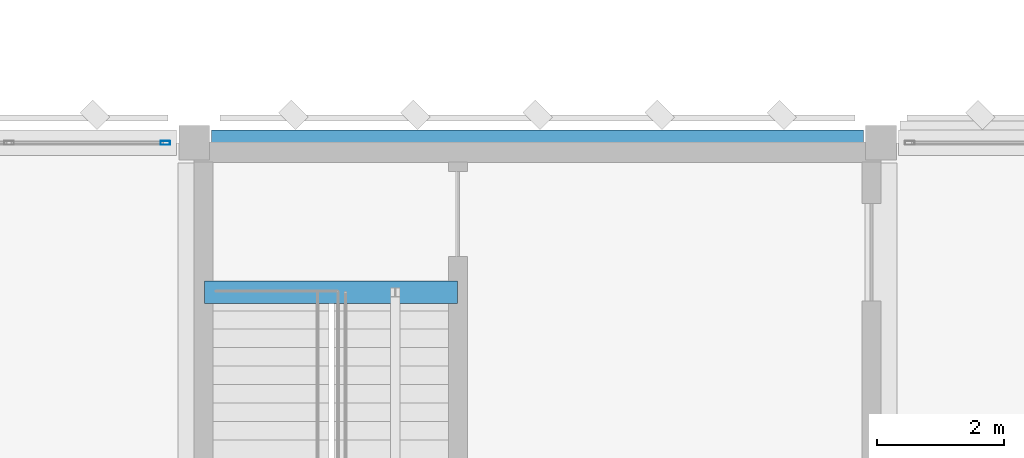
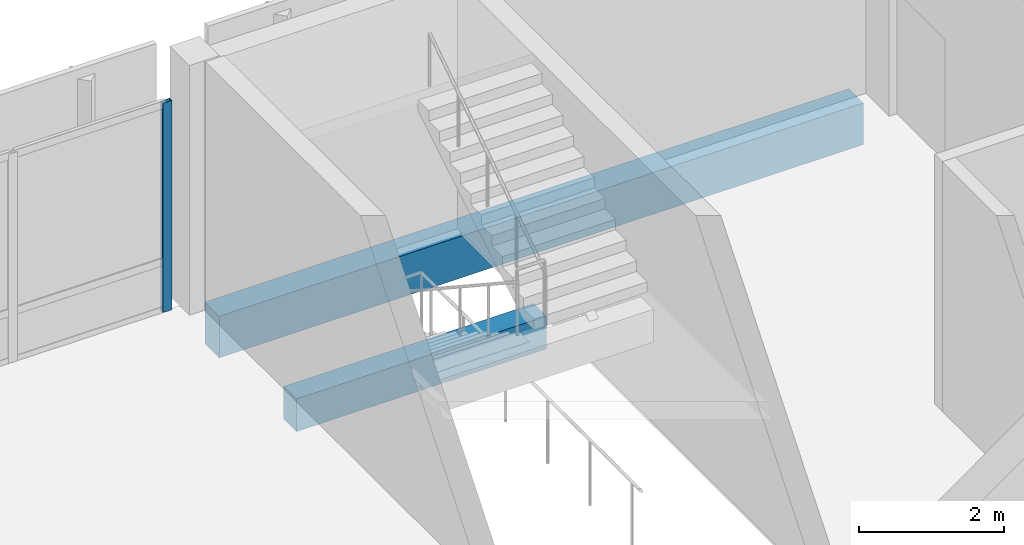
# One storey, part 30 of 72: 2 beams, 1 member, 1 element without a shape of its own.
"""IFC4 building model written with IfcOpenShell, lengths in metres."""

from ifc_helpers import new_model, si_unit, direction, frame, origin, origin_2d, place, context, subcontext, project, spatial, rectangle, hollow_rectangle, extrude, material, material_profile, profile_set, type_object, element, aggregate, save


model = new_model("IFC4")

# Units and contexts
model_context = context("Model", 3, precision=1e-05, world=origin(), true_north=direction((0.0, 1.0)))
body_context = subcontext(model_context, "Body", "Model", "MODEL_VIEW")
ifc_project = project(units=[si_unit("LENGTHUNIT", "METRE"), si_unit("AREAUNIT", "SQUARE_METRE"), si_unit("VOLUMEUNIT", "CUBIC_METRE"), si_unit("PLANEANGLEUNIT", "RADIAN"), si_unit("MASSUNIT", "GRAM", prefix="KILO")], contexts=[model_context])

# Site, building, storey
site_placement = place(None, origin())
site = spatial("IfcSite", under=ifc_project, at=site_placement, CompositionType="ELEMENT")
building_placement = place(site_placement, origin())
building = spatial("IfcBuilding", under=site, at=building_placement, Name="Lusvemor Sports Hall", CompositionType="ELEMENT")
storey_placement = place(building_placement, frame((0.0, 0.0, 15.0)))
storey = spatial("IfcBuildingStorey", under=building, at=storey_placement, Name="L03", CompositionType="ELEMENT", Elevation=15.0)

# Beam
ifc_material_1 = material(Name="Concrete C40/50", Category="concrete")
ifc_material_profile_1 = material_profile(ifc_material_1, rectangle(XDim=0.35009765625, YDim=0.550048828125, at=origin_2d()), Name="RC350x550")
ifc_profile_set_1 = profile_set([ifc_material_profile_1], Name="Concrete C40/50")
beam_type_1 = type_object("IfcBeamType", Name="BEAM_RC_550", PredefinedType="BEAM", material=ifc_profile_set_1)
beam_1_placement = place(storey_placement, frame((54.159912109375, 112.85009765625, -0.455078125), z_axis=(1.0, 0.0, 0.0), x_axis=(0.0, 1.0, 0.0)))
element("IfcBeam", 1, at=beam_1_placement, inside=storey, type_object=beam_type_1, Name="Stair STR-C2-L02 Top-Landing Beam", PredefinedType="BEAM", context=body_context, shape_type="SweptSolid", body=[
    extrude(rectangle(XDim=0.35009765625, YDim=0.550048828125, at=origin_2d()), origin(), (0.0, 0.0, 1.0), 3.97998046875),
])

# Curtain wall, member
ifc_material_2 = material(Name="Thermally broken bronze-anodized aluminium", Category="aluminium")
curtain_wall_type = type_object("IfcCurtainWallType", Name="CW_WING_B", PredefinedType="NOTDEFINED", material=ifc_material_2)
curtain_wall_placement = place(storey_placement, origin())
curtain_wall = element("IfcCurtainWall", 2, at=curtain_wall_placement, inside=storey, type_object=curtain_wall_type, Name="Curtain Wall CW-L03-N-1-4", PredefinedType="NOTDEFINED")
ifc_material_3 = material(Name="Thermally broken bronze-anodized aluminium", Category="aluminium")
ifc_material_profile_2 = material_profile(ifc_material_3, hollow_rectangle(XDim=0.06494140625, YDim=0.14990234375, WallThickness=0.00390625, InnerFilletRadius=0.00390625, OuterFilletRadius=0.008056640625, at=origin_2d()), Name="CWMUL150x65x4")
ifc_profile_set_2 = profile_set([ifc_material_profile_2], Name="Thermally broken bronze-anodized aluminium")
member_type = type_object("IfcMemberType", Name="CW_MUL_B", PredefinedType="MULLION", material=ifc_profile_set_2)
member_placement = place(storey_placement, frame((53.547607421875, 115.199951171875, 0.0), z_axis=(0.0, 0.0, 1.0), x_axis=(0.0, 1.0, 0.0)))
member = element("IfcMember", 3, at=member_placement, type_object=member_type, Name="CW02 mullion 5", PredefinedType="MULLION", context=body_context, shape_type="SweptSolid", body=[
    extrude(hollow_rectangle(XDim=0.06494140625, YDim=0.14990234375, WallThickness=0.00390625, InnerFilletRadius=0.00390625, OuterFilletRadius=0.008056640625, at=origin_2d()), origin(), (0.0, 0.0, 1.0), 3.52001953125),
])
aggregate(curtain_wall, [member])

# Beam
ifc_material_4 = material(Name="Concrete C40/50", Category="concrete")
ifc_material_profile_3 = material_profile(ifc_material_4, rectangle(XDim=0.39990234375, YDim=0.699951171875, at=origin_2d()), Name="RC400x700")
ifc_profile_set_3 = profile_set([ifc_material_profile_3], Name="Concrete C40/50")
beam_type_2 = type_object("IfcBeamType", Name="SPAND_EXT_700", PredefinedType="SPANDREL", material=ifc_profile_set_3)
beam_2_placement = place(storey_placement, frame((54.27587890625, 115.199951171875, -0.590087890625), z_axis=(1.0, 0.0, 0.0), x_axis=(0.0, 1.0, 0.0)))
element("IfcBeam", 4, at=beam_2_placement, inside=storey, type_object=beam_type_2, Name="Beam L03 Q:6-7", PredefinedType="SPANDREL", context=body_context, shape_type="SweptSolid", body=[
    extrude(rectangle(XDim=0.39990234375, YDim=0.699951171875, at=origin_2d()), origin(), (0.0, 0.0, 1.0), 10.248046875),
])

save(model, "model.ifc")
